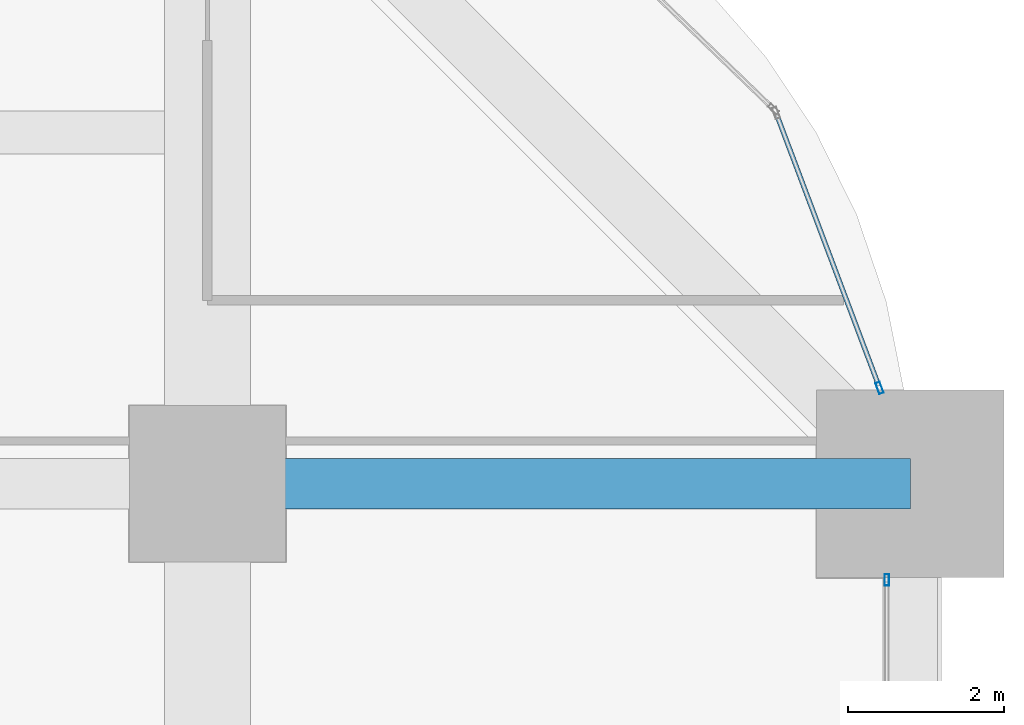
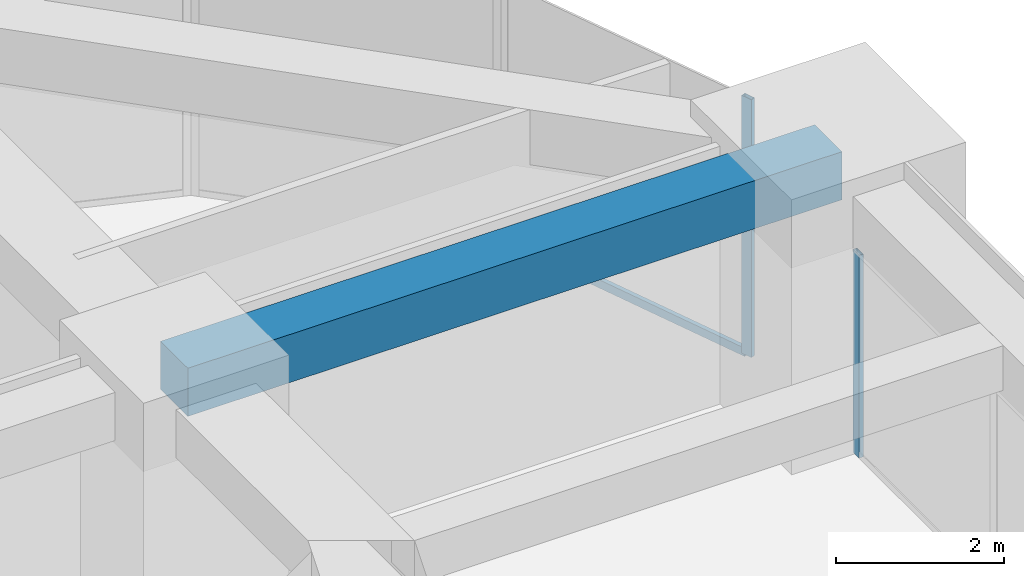
# One storey, part 32 of 41: 3 members, 1 beam, 2 elements without a shape of their own.
"""IFC4 building model written with IfcOpenShell, lengths in metres."""

from ifc_helpers import new_model, si_unit, direction, frame, origin, origin_2d, place, context, subcontext, project, spatial, rectangle, hollow_rectangle, extrude, material, material_profile, profile_set, type_object, element, aggregate, save


model = new_model("IFC4")

# Units and contexts
model_context = context("Model", 3, precision=1e-05, world=origin(), true_north=direction((0.0, 1.0)))
body_context = subcontext(model_context, "Body", "Model", "MODEL_VIEW")
ifc_project = project(units=[si_unit("LENGTHUNIT", "METRE"), si_unit("AREAUNIT", "SQUARE_METRE"), si_unit("VOLUMEUNIT", "CUBIC_METRE"), si_unit("PLANEANGLEUNIT", "RADIAN"), si_unit("MASSUNIT", "GRAM", prefix="KILO")], contexts=[model_context])

# Site, building, storey
site_placement = place(None, origin())
site = spatial("IfcSite", under=ifc_project, at=site_placement, CompositionType="ELEMENT")
building_placement = place(site_placement, origin())
building = spatial("IfcBuilding", under=site, at=building_placement, Name="Zorevar Civic Tower", CompositionType="ELEMENT")
storey_placement = place(building_placement, frame((0.0, 0.0, 101.0)))
storey = spatial("IfcBuildingStorey", under=building, at=storey_placement, Name="L24", CompositionType="ELEMENT", Elevation=101.0)

# Beam
ifc_material_1 = material(Name="Concrete C50/60", Category="concrete")
ifc_material_profile_1 = material_profile(ifc_material_1, rectangle(XDim=0.64990234375, YDim=0.699951171875, at=origin_2d()), Name="RC 650x700")
ifc_profile_set_1 = profile_set([ifc_material_profile_1], Name="Concrete C50/60")
beam_type = type_object("IfcBeamType", Name="Beam RC 650x700", PredefinedType="BEAM", material=ifc_profile_set_1)
beam_placement = place(storey_placement, frame((54.0, 36.0, 3.39990234375), z_axis=(1.0, 0.0, 0.0), x_axis=(0.0, 1.0, 0.0)))
element("IfcBeam", 1, at=beam_placement, inside=storey, type_object=beam_type, Name="Girder L25", PredefinedType="BEAM", context=body_context, shape_type="SweptSolid", body=[
    extrude(rectangle(XDim=0.64990234375, YDim=0.699951171875, at=origin_2d()), origin(), (0.0, 0.0, 1.0), 9.0),
])

# Curtain wall, member
ifc_material_2 = material(Name="Dark grey solar-control glass in black aluminium frame", Category="aluminium")
curtain_wall_type = type_object("IfcCurtainWallType", Name="Curtain wall CW3 mid zone", PredefinedType="NOTDEFINED", material=ifc_material_2)
curtain_wall_1_placement = place(storey_placement, origin())
curtain_wall_1 = element("IfcCurtainWall", 2, at=curtain_wall_1_placement, inside=storey, type_object=curtain_wall_type, Name="CW3 L24", PredefinedType="NOTDEFINED")
ifc_material_3 = material(Name="Aluminium, black anodised", Category="aluminium")
ifc_material_profile_2 = material_profile(ifc_material_3, hollow_rectangle(XDim=0.06005859375, YDim=0.14990234375, WallThickness=0.00390625, at=origin_2d()), Name="AL 150x60x4")
ifc_profile_set_2 = profile_set([ifc_material_profile_2], Name="Aluminium, black anodised")
member_type_1 = type_object("IfcMemberType", Name="CW3 mullion AL 150x60x4", PredefinedType="MULLION", material=ifc_profile_set_2)
member_1_placement = place(storey_placement, frame((62.699951171875, 34.77001953125, 0.0), z_axis=(0.0, 0.0, 1.0), x_axis=(-1.0, 0.0, 0.0)))
member_1 = element("IfcMember", 3, at=member_1_placement, type_object=member_type_1, Name="CW3 mullion 3", PredefinedType="MULLION", context=body_context, shape_type="SweptSolid", body=[
    extrude(hollow_rectangle(XDim=0.06005859375, YDim=0.14990234375, WallThickness=0.00390625, at=origin_2d()), origin(), (0.0, 0.0, 1.0), 2.949951171875),
])
aggregate(curtain_wall_1, [member_1])

# Curtain wall, members
curtain_wall_2_placement = place(storey_placement, origin())
curtain_wall_2 = element("IfcCurtainWall", 4, at=curtain_wall_2_placement, inside=storey, type_object=curtain_wall_type, Name="CW3 L24", PredefinedType="NOTDEFINED")
member_2_placement = place(storey_placement, frame((62.606201171875, 37.22802734375, 0.0), z_axis=(0.0, 0.0, 1.0), x_axis=(-0.935950528564, -0.352131520999, 0.0)))
member_2 = element("IfcMember", 5, at=member_2_placement, type_object=member_type_1, Name="CW3 mullion 1", PredefinedType="MULLION", context=body_context, shape_type="SweptSolid", body=[
    extrude(hollow_rectangle(XDim=0.06005859375, YDim=0.14990234375, WallThickness=0.00390625, at=origin_2d()), origin(), (0.0, 0.0, 1.0), 3.75),
])
ifc_material_4 = material(Name="Aluminium, black anodised", Category="aluminium")
ifc_material_profile_3 = material_profile(ifc_material_4, hollow_rectangle(XDim=0.06005859375, YDim=0.1201171875, WallThickness=0.0029296875, at=origin_2d()), Name="AL 120x60x3")
ifc_profile_set_3 = profile_set([ifc_material_profile_3], Name="Aluminium, black anodised")
member_type_2 = type_object("IfcMemberType", Name="CW3 transom AL 120x60x3", PredefinedType="USERDEFINED", material=ifc_profile_set_3)
member_3_placement = place(storey_placement, frame((62.595703125, 37.256103515625, 0.030029296875), z_axis=(-0.352142207579, 0.935946507895, 0.0), x_axis=(-0.935946507895, -0.352142207579, 0.0)))
member_3 = element("IfcMember", 6, at=member_3_placement, type_object=member_type_2, Name="CW3 sill transom", ObjectType="TRANSOM", PredefinedType="USERDEFINED", context=body_context, shape_type="SweptSolid", body=[
    extrude(hollow_rectangle(XDim=0.06005859375, YDim=0.1201171875, WallThickness=0.0029296875, at=origin_2d()), origin(), (0.0, 0.0, 1.0), 3.7021484375),
])
aggregate(curtain_wall_2, [member_2, member_3])

save(model, "model.ifc")
